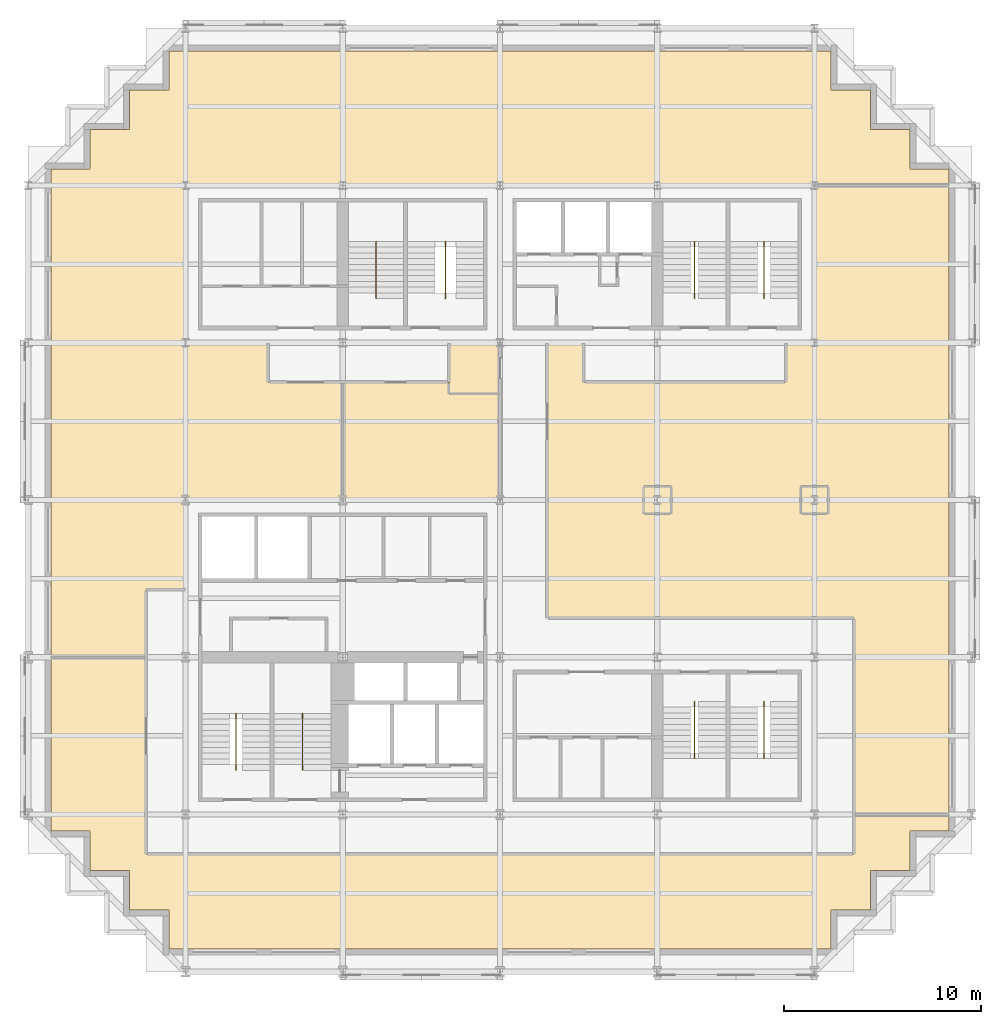
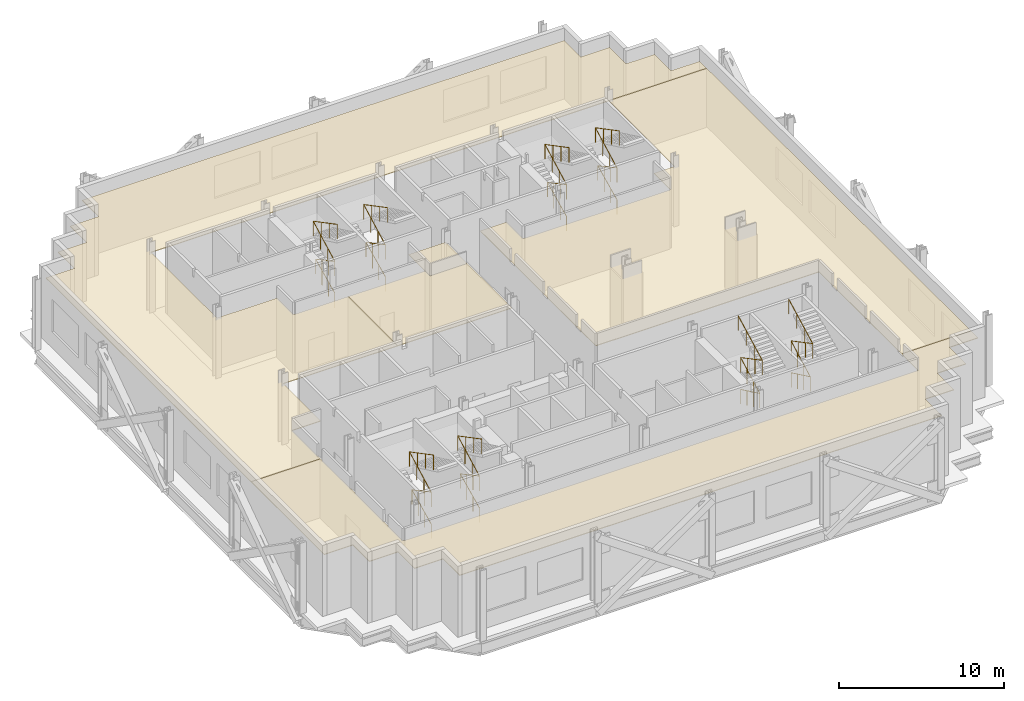
# One storey, part 10 of 10: 8 railings, 5 coverings.
"""IFC4 building model written with IfcOpenShell, lengths in metres."""

from ifc_helpers import new_model, si_unit, direction, frame, origin, origin_2d, place, context, subcontext, project, spatial, polyline, circle, outline, extrude, material, layer, layer_set, type_object, element, save


model = new_model("IFC4")

# Units and contexts
model_context = context("Model", 3, precision=1e-05, world=origin(), true_north=direction((0.0, 1.0)))
body_context = subcontext(model_context, "Body", "Model", "MODEL_VIEW")
ifc_project = project(units=[si_unit("LENGTHUNIT", "METRE"), si_unit("AREAUNIT", "SQUARE_METRE"), si_unit("VOLUMEUNIT", "CUBIC_METRE"), si_unit("PLANEANGLEUNIT", "RADIAN"), si_unit("MASSUNIT", "GRAM", prefix="KILO")], contexts=[model_context])

# Site, building, storey
site_placement = place(None, origin())
site = spatial("IfcSite", under=ifc_project, at=site_placement, CompositionType="ELEMENT")
building_placement = place(site_placement, origin())
building = spatial("IfcBuilding", under=site, at=building_placement, Name="Immortelle Media Tower", CompositionType="ELEMENT")
storey_placement = place(building_placement, frame((0.0, 0.0, 29.39990234375)))
storey = spatial("IfcBuildingStorey", under=building, at=storey_placement, Name="L03", CompositionType="ELEMENT", Elevation=29.39990234375)

# Railings
ifc_material_1 = material(Name="Stainless steel AISI 316", Category="steel")
railing_type = type_object("IfcRailingType", Name="Stair guard 1100", PredefinedType="GUARDRAIL", material=ifc_material_1)
railing_1_placement = place(storey_placement, frame((10.574951171875, 10.5400390625, 0.138671875)))
element("IfcRailing", 1, at=railing_1_placement, inside=storey, type_object=railing_type, Name="Stair guard SW1", PredefinedType="GUARDRAIL", context=body_context, shape_type="SweptSolid", body=[
    extrude(circle(Radius=0.02392578125, at=origin_2d()), frame((0.0, 0.0, 1.076171875), z_axis=(0.0, 0.902426498155, 0.430843841116), x_axis=(-1.0, 0.0, 0.0)), (0.0, 0.0, 1.0), 2.57080078125),
    extrude(circle(Radius=0.02392578125, at=origin_2d()), frame((0.0, 2.320068359375, 2.18359375), z_axis=(0.0, -0.880973676593, 0.473165278894), x_axis=(1.0, 0.0, 0.0)), (0.0, 0.0, 1.0), 2.633544921875),
    extrude(circle(Radius=0.02392578125, at=origin_2d()), frame((0.0, 0.0, 3.4296875), z_axis=(0.0, 0.883391611325, 0.468635531134), x_axis=(-1.0, 0.0, 0.0)), (0.0, 0.0, 1.0), 2.954345703125),
    extrude(circle(Radius=0.02392578125, at=origin_2d()), frame((0.0, 2.60986328125, 4.814453125), z_axis=(0.0, -0.885304325944, 0.465012097118), x_axis=(1.0, 0.0, 0.0)), (0.0, 0.0, 1.0), 3.275634765625),
    extrude(circle(Radius=0.02099609375, at=origin_2d()), origin(), (0.0, 0.0, 1.0), 1.052001953125),
    extrude(circle(Radius=0.02099609375, at=origin_2d()), frame((0.0, 0.7734375, 0.369140625)), (0.0, 0.0, 1.0), 1.052001953125),
    extrude(circle(Radius=0.02099609375, at=origin_2d()), frame((0.0, 1.546630859375, 0.738525390625)), (0.0, 0.0, 1.0), 1.052001953125),
    extrude(circle(Radius=0.02099609375, at=origin_2d()), frame((0.0, 2.320068359375, 1.107666015625)), (0.0, 0.0, 1.0), 1.052001953125),
    extrude(circle(Radius=0.02099609375, at=origin_2d()), frame((0.0, 1.546630859375, 1.52294921875)), (0.0, 0.0, 1.0), 1.052001953125),
    extrude(circle(Radius=0.02099609375, at=origin_2d()), frame((0.0, 0.7734375, 1.9384765625)), (0.0, 0.0, 1.0), 1.052001953125),
    extrude(circle(Radius=0.02099609375, at=origin_2d()), frame((0.0, 0.0, 2.353759765625)), (0.0, 0.0, 1.0), 1.052001953125),
    extrude(circle(Radius=0.02099609375, at=origin_2d()), frame((0.0, 0.869873046875, 2.815185546875)), (0.0, 0.0, 1.0), 1.052001953125),
    extrude(circle(Radius=0.02099609375, at=origin_2d()), frame((0.0, 1.739990234375, 3.27685546875)), (0.0, 0.0, 1.0), 1.052001953125),
    extrude(circle(Radius=0.02099609375, at=origin_2d()), frame((0.0, 2.60986328125, 3.73828125)), (0.0, 0.0, 1.0), 1.052001953125),
    extrude(circle(Radius=0.02099609375, at=origin_2d()), frame((0.0, 1.643310546875, 4.24609375)), (0.0, 0.0, 1.0), 1.052001953125),
    extrude(circle(Radius=0.02099609375, at=origin_2d()), frame((0.0, 0.676513671875, 4.753662109375)), (0.0, 0.0, 1.0), 1.052001953125),
    extrude(circle(Radius=0.02099609375, at=origin_2d()), frame((0.0, -0.2900390625, 5.261474609375)), (0.0, 0.0, 1.0), 1.052001953125),
])
railing_2_placement = place(storey_placement, frame((13.949951171875, 10.5400390625, 0.138671875)))
element("IfcRailing", 2, at=railing_2_placement, inside=storey, type_object=railing_type, Name="Stair guard SW2", PredefinedType="GUARDRAIL", context=body_context, shape_type="SweptSolid", body=[
    extrude(circle(Radius=0.02392578125, at=origin_2d()), frame((0.0, 0.0, 1.076171875), z_axis=(0.0, 0.902426498155, 0.430843841116), x_axis=(-1.0, 0.0, 0.0)), (0.0, 0.0, 1.0), 2.57080078125),
    extrude(circle(Radius=0.02392578125, at=origin_2d()), frame((0.0, 2.320068359375, 2.18359375), z_axis=(0.0, -0.880973676593, 0.473165278894), x_axis=(1.0, 0.0, 0.0)), (0.0, 0.0, 1.0), 2.633544921875),
    extrude(circle(Radius=0.02392578125, at=origin_2d()), frame((0.0, 0.0, 3.4296875), z_axis=(0.0, 0.883391611325, 0.468635531134), x_axis=(-1.0, 0.0, 0.0)), (0.0, 0.0, 1.0), 2.954345703125),
    extrude(circle(Radius=0.02392578125, at=origin_2d()), frame((0.0, 2.60986328125, 4.814453125), z_axis=(0.0, -0.885304325944, 0.465012097118), x_axis=(1.0, 0.0, 0.0)), (0.0, 0.0, 1.0), 3.275634765625),
    extrude(circle(Radius=0.02099609375, at=origin_2d()), origin(), (0.0, 0.0, 1.0), 1.052001953125),
    extrude(circle(Radius=0.02099609375, at=origin_2d()), frame((0.0, 0.7734375, 0.369140625)), (0.0, 0.0, 1.0), 1.052001953125),
    extrude(circle(Radius=0.02099609375, at=origin_2d()), frame((0.0, 1.546630859375, 0.738525390625)), (0.0, 0.0, 1.0), 1.052001953125),
    extrude(circle(Radius=0.02099609375, at=origin_2d()), frame((0.0, 2.320068359375, 1.107666015625)), (0.0, 0.0, 1.0), 1.052001953125),
    extrude(circle(Radius=0.02099609375, at=origin_2d()), frame((0.0, 1.546630859375, 1.52294921875)), (0.0, 0.0, 1.0), 1.052001953125),
    extrude(circle(Radius=0.02099609375, at=origin_2d()), frame((0.0, 0.7734375, 1.9384765625)), (0.0, 0.0, 1.0), 1.052001953125),
    extrude(circle(Radius=0.02099609375, at=origin_2d()), frame((0.0, 0.0, 2.353759765625)), (0.0, 0.0, 1.0), 1.052001953125),
    extrude(circle(Radius=0.02099609375, at=origin_2d()), frame((0.0, 0.869873046875, 2.815185546875)), (0.0, 0.0, 1.0), 1.052001953125),
    extrude(circle(Radius=0.02099609375, at=origin_2d()), frame((0.0, 1.739990234375, 3.27685546875)), (0.0, 0.0, 1.0), 1.052001953125),
    extrude(circle(Radius=0.02099609375, at=origin_2d()), frame((0.0, 2.60986328125, 3.73828125)), (0.0, 0.0, 1.0), 1.052001953125),
    extrude(circle(Radius=0.02099609375, at=origin_2d()), frame((0.0, 1.643310546875, 4.24609375)), (0.0, 0.0, 1.0), 1.052001953125),
    extrude(circle(Radius=0.02099609375, at=origin_2d()), frame((0.0, 0.676513671875, 4.753662109375)), (0.0, 0.0, 1.0), 1.052001953125),
    extrude(circle(Radius=0.02099609375, at=origin_2d()), frame((0.0, -0.2900390625, 5.261474609375)), (0.0, 0.0, 1.0), 1.052001953125),
])
railing_3_placement = place(storey_placement, frame((33.89990234375, 13.4599609375, 0.138671875)))
element("IfcRailing", 3, at=railing_3_placement, inside=storey, type_object=railing_type, Name="Stair guard SE1", PredefinedType="GUARDRAIL", context=body_context, shape_type="SweptSolid", body=[
    extrude(circle(Radius=0.02392578125, at=origin_2d()), frame((0.0, 0.0, 1.076171875), z_axis=(0.0, -0.902426498155, 0.430843841116), x_axis=(1.0, 0.0, 0.0)), (0.0, 0.0, 1.0), 2.57080078125),
    extrude(circle(Radius=0.02392578125, at=origin_2d()), frame((0.0, -2.320068359375, 2.18359375), z_axis=(0.0, 0.880973676593, 0.473165278894), x_axis=(-1.0, 0.0, 0.0)), (0.0, 0.0, 1.0), 2.633544921875),
    extrude(circle(Radius=0.02392578125, at=origin_2d()), frame((0.0, 0.0, 3.4296875), z_axis=(0.0, -0.883391611325, 0.468635531134), x_axis=(1.0, 0.0, 0.0)), (0.0, 0.0, 1.0), 2.954345703125),
    extrude(circle(Radius=0.02392578125, at=origin_2d()), frame((0.0, -2.60986328125, 4.814453125), z_axis=(0.0, 0.885304325944, 0.465012097118), x_axis=(-1.0, 0.0, 0.0)), (0.0, 0.0, 1.0), 3.275634765625),
    extrude(circle(Radius=0.02099609375, at=origin_2d()), origin(), (0.0, 0.0, 1.0), 1.052001953125),
    extrude(circle(Radius=0.02099609375, at=origin_2d()), frame((0.0, -0.7734375, 0.369140625)), (0.0, 0.0, 1.0), 1.052001953125),
    extrude(circle(Radius=0.02099609375, at=origin_2d()), frame((0.0, -1.546630859375, 0.738525390625)), (0.0, 0.0, 1.0), 1.052001953125),
    extrude(circle(Radius=0.02099609375, at=origin_2d()), frame((0.0, -2.320068359375, 1.107666015625)), (0.0, 0.0, 1.0), 1.052001953125),
    extrude(circle(Radius=0.02099609375, at=origin_2d()), frame((0.0, -1.546630859375, 1.52294921875)), (0.0, 0.0, 1.0), 1.052001953125),
    extrude(circle(Radius=0.02099609375, at=origin_2d()), frame((0.0, -0.7734375, 1.9384765625)), (0.0, 0.0, 1.0), 1.052001953125),
    extrude(circle(Radius=0.02099609375, at=origin_2d()), frame((0.0, 0.0, 2.353759765625)), (0.0, 0.0, 1.0), 1.052001953125),
    extrude(circle(Radius=0.02099609375, at=origin_2d()), frame((0.0, -0.869873046875, 2.815185546875)), (0.0, 0.0, 1.0), 1.052001953125),
    extrude(circle(Radius=0.02099609375, at=origin_2d()), frame((0.0, -1.739990234375, 3.27685546875)), (0.0, 0.0, 1.0), 1.052001953125),
    extrude(circle(Radius=0.02099609375, at=origin_2d()), frame((0.0, -2.60986328125, 3.73828125)), (0.0, 0.0, 1.0), 1.052001953125),
    extrude(circle(Radius=0.02099609375, at=origin_2d()), frame((0.0, -1.643310546875, 4.24609375)), (0.0, 0.0, 1.0), 1.052001953125),
    extrude(circle(Radius=0.02099609375, at=origin_2d()), frame((0.0, -0.676513671875, 4.753662109375)), (0.0, 0.0, 1.0), 1.052001953125),
    extrude(circle(Radius=0.02099609375, at=origin_2d()), frame((0.0, 0.2900390625, 5.261474609375)), (0.0, 0.0, 1.0), 1.052001953125),
])
railing_4_placement = place(storey_placement, frame((37.425048828125, 13.4599609375, 0.138671875)))
element("IfcRailing", 4, at=railing_4_placement, inside=storey, type_object=railing_type, Name="Stair guard SE2", PredefinedType="GUARDRAIL", context=body_context, shape_type="SweptSolid", body=[
    extrude(circle(Radius=0.02392578125, at=origin_2d()), frame((0.0, 0.0, 1.076171875), z_axis=(0.0, -0.902426498155, 0.430843841116), x_axis=(1.0, 0.0, 0.0)), (0.0, 0.0, 1.0), 2.57080078125),
    extrude(circle(Radius=0.02392578125, at=origin_2d()), frame((0.0, -2.320068359375, 2.18359375), z_axis=(0.0, 0.880973676593, 0.473165278894), x_axis=(-1.0, 0.0, 0.0)), (0.0, 0.0, 1.0), 2.633544921875),
    extrude(circle(Radius=0.02392578125, at=origin_2d()), frame((0.0, 0.0, 3.4296875), z_axis=(0.0, -0.883391611325, 0.468635531134), x_axis=(1.0, 0.0, 0.0)), (0.0, 0.0, 1.0), 2.954345703125),
    extrude(circle(Radius=0.02392578125, at=origin_2d()), frame((0.0, -2.60986328125, 4.814453125), z_axis=(0.0, 0.885304325944, 0.465012097118), x_axis=(-1.0, 0.0, 0.0)), (0.0, 0.0, 1.0), 3.275634765625),
    extrude(circle(Radius=0.02099609375, at=origin_2d()), origin(), (0.0, 0.0, 1.0), 1.052001953125),
    extrude(circle(Radius=0.02099609375, at=origin_2d()), frame((0.0, -0.7734375, 0.369140625)), (0.0, 0.0, 1.0), 1.052001953125),
    extrude(circle(Radius=0.02099609375, at=origin_2d()), frame((0.0, -1.546630859375, 0.738525390625)), (0.0, 0.0, 1.0), 1.052001953125),
    extrude(circle(Radius=0.02099609375, at=origin_2d()), frame((0.0, -2.320068359375, 1.107666015625)), (0.0, 0.0, 1.0), 1.052001953125),
    extrude(circle(Radius=0.02099609375, at=origin_2d()), frame((0.0, -1.546630859375, 1.52294921875)), (0.0, 0.0, 1.0), 1.052001953125),
    extrude(circle(Radius=0.02099609375, at=origin_2d()), frame((0.0, -0.7734375, 1.9384765625)), (0.0, 0.0, 1.0), 1.052001953125),
    extrude(circle(Radius=0.02099609375, at=origin_2d()), frame((0.0, 0.0, 2.353759765625)), (0.0, 0.0, 1.0), 1.052001953125),
    extrude(circle(Radius=0.02099609375, at=origin_2d()), frame((0.0, -0.869873046875, 2.815185546875)), (0.0, 0.0, 1.0), 1.052001953125),
    extrude(circle(Radius=0.02099609375, at=origin_2d()), frame((0.0, -1.739990234375, 3.27685546875)), (0.0, 0.0, 1.0), 1.052001953125),
    extrude(circle(Radius=0.02099609375, at=origin_2d()), frame((0.0, -2.60986328125, 3.73828125)), (0.0, 0.0, 1.0), 1.052001953125),
    extrude(circle(Radius=0.02099609375, at=origin_2d()), frame((0.0, -1.643310546875, 4.24609375)), (0.0, 0.0, 1.0), 1.052001953125),
    extrude(circle(Radius=0.02099609375, at=origin_2d()), frame((0.0, -0.676513671875, 4.753662109375)), (0.0, 0.0, 1.0), 1.052001953125),
    extrude(circle(Radius=0.02099609375, at=origin_2d()), frame((0.0, 0.2900390625, 5.261474609375)), (0.0, 0.0, 1.0), 1.052001953125),
])
railing_5_placement = place(storey_placement, frame((17.699951171875, 34.5400390625, 0.138671875)))
element("IfcRailing", 5, at=railing_5_placement, inside=storey, type_object=railing_type, Name="Stair guard NW1", PredefinedType="GUARDRAIL", context=body_context, shape_type="SweptSolid", body=[
    extrude(circle(Radius=0.02392578125, at=origin_2d()), frame((0.0, 0.0, 1.076171875), z_axis=(0.0, 0.902426498155, 0.430843841116), x_axis=(-1.0, 0.0, 0.0)), (0.0, 0.0, 1.0), 2.57080078125),
    extrude(circle(Radius=0.02392578125, at=origin_2d()), frame((0.0, 2.320068359375, 2.18359375), z_axis=(0.0, -0.880973676593, 0.473165278894), x_axis=(1.0, 0.0, 0.0)), (0.0, 0.0, 1.0), 2.633544921875),
    extrude(circle(Radius=0.02392578125, at=origin_2d()), frame((0.0, 0.0, 3.4296875), z_axis=(0.0, 0.883391611325, 0.468635531134), x_axis=(-1.0, 0.0, 0.0)), (0.0, 0.0, 1.0), 2.954345703125),
    extrude(circle(Radius=0.02392578125, at=origin_2d()), frame((0.0, 2.60986328125, 4.814453125), z_axis=(0.0, -0.885304325944, 0.465012097118), x_axis=(1.0, 0.0, 0.0)), (0.0, 0.0, 1.0), 3.275634765625),
    extrude(circle(Radius=0.02099609375, at=origin_2d()), origin(), (0.0, 0.0, 1.0), 1.052001953125),
    extrude(circle(Radius=0.02099609375, at=origin_2d()), frame((0.0, 0.7734375, 0.369140625)), (0.0, 0.0, 1.0), 1.052001953125),
    extrude(circle(Radius=0.02099609375, at=origin_2d()), frame((0.0, 1.546630859375, 0.738525390625)), (0.0, 0.0, 1.0), 1.052001953125),
    extrude(circle(Radius=0.02099609375, at=origin_2d()), frame((0.0, 2.320068359375, 1.107666015625)), (0.0, 0.0, 1.0), 1.052001953125),
    extrude(circle(Radius=0.02099609375, at=origin_2d()), frame((0.0, 1.546630859375, 1.52294921875)), (0.0, 0.0, 1.0), 1.052001953125),
    extrude(circle(Radius=0.02099609375, at=origin_2d()), frame((0.0, 0.7734375, 1.9384765625)), (0.0, 0.0, 1.0), 1.052001953125),
    extrude(circle(Radius=0.02099609375, at=origin_2d()), frame((0.0, 0.0, 2.353759765625)), (0.0, 0.0, 1.0), 1.052001953125),
    extrude(circle(Radius=0.02099609375, at=origin_2d()), frame((0.0, 0.869873046875, 2.815185546875)), (0.0, 0.0, 1.0), 1.052001953125),
    extrude(circle(Radius=0.02099609375, at=origin_2d()), frame((0.0, 1.739990234375, 3.27685546875)), (0.0, 0.0, 1.0), 1.052001953125),
    extrude(circle(Radius=0.02099609375, at=origin_2d()), frame((0.0, 2.60986328125, 3.73828125)), (0.0, 0.0, 1.0), 1.052001953125),
    extrude(circle(Radius=0.02099609375, at=origin_2d()), frame((0.0, 1.643310546875, 4.24609375)), (0.0, 0.0, 1.0), 1.052001953125),
    extrude(circle(Radius=0.02099609375, at=origin_2d()), frame((0.0, 0.676513671875, 4.753662109375)), (0.0, 0.0, 1.0), 1.052001953125),
    extrude(circle(Radius=0.02099609375, at=origin_2d()), frame((0.0, -0.2900390625, 5.261474609375)), (0.0, 0.0, 1.0), 1.052001953125),
])
railing_6_placement = place(storey_placement, frame((21.22509765625, 34.5400390625, 0.138671875)))
element("IfcRailing", 6, at=railing_6_placement, inside=storey, type_object=railing_type, Name="Stair guard NW2", PredefinedType="GUARDRAIL", context=body_context, shape_type="SweptSolid", body=[
    extrude(circle(Radius=0.02392578125, at=origin_2d()), frame((0.0, 0.0, 1.076171875), z_axis=(0.0, 0.902426498155, 0.430843841116), x_axis=(-1.0, 0.0, 0.0)), (0.0, 0.0, 1.0), 2.57080078125),
    extrude(circle(Radius=0.02392578125, at=origin_2d()), frame((0.0, 2.320068359375, 2.18359375), z_axis=(0.0, -0.880973676593, 0.473165278894), x_axis=(1.0, 0.0, 0.0)), (0.0, 0.0, 1.0), 2.633544921875),
    extrude(circle(Radius=0.02392578125, at=origin_2d()), frame((0.0, 0.0, 3.4296875), z_axis=(0.0, 0.883391611325, 0.468635531134), x_axis=(-1.0, 0.0, 0.0)), (0.0, 0.0, 1.0), 2.954345703125),
    extrude(circle(Radius=0.02392578125, at=origin_2d()), frame((0.0, 2.60986328125, 4.814453125), z_axis=(0.0, -0.885304325944, 0.465012097118), x_axis=(1.0, 0.0, 0.0)), (0.0, 0.0, 1.0), 3.275634765625),
    extrude(circle(Radius=0.02099609375, at=origin_2d()), origin(), (0.0, 0.0, 1.0), 1.052001953125),
    extrude(circle(Radius=0.02099609375, at=origin_2d()), frame((0.0, 0.7734375, 0.369140625)), (0.0, 0.0, 1.0), 1.052001953125),
    extrude(circle(Radius=0.02099609375, at=origin_2d()), frame((0.0, 1.546630859375, 0.738525390625)), (0.0, 0.0, 1.0), 1.052001953125),
    extrude(circle(Radius=0.02099609375, at=origin_2d()), frame((0.0, 2.320068359375, 1.107666015625)), (0.0, 0.0, 1.0), 1.052001953125),
    extrude(circle(Radius=0.02099609375, at=origin_2d()), frame((0.0, 1.546630859375, 1.52294921875)), (0.0, 0.0, 1.0), 1.052001953125),
    extrude(circle(Radius=0.02099609375, at=origin_2d()), frame((0.0, 0.7734375, 1.9384765625)), (0.0, 0.0, 1.0), 1.052001953125),
    extrude(circle(Radius=0.02099609375, at=origin_2d()), frame((0.0, 0.0, 2.353759765625)), (0.0, 0.0, 1.0), 1.052001953125),
    extrude(circle(Radius=0.02099609375, at=origin_2d()), frame((0.0, 0.869873046875, 2.815185546875)), (0.0, 0.0, 1.0), 1.052001953125),
    extrude(circle(Radius=0.02099609375, at=origin_2d()), frame((0.0, 1.739990234375, 3.27685546875)), (0.0, 0.0, 1.0), 1.052001953125),
    extrude(circle(Radius=0.02099609375, at=origin_2d()), frame((0.0, 2.60986328125, 3.73828125)), (0.0, 0.0, 1.0), 1.052001953125),
    extrude(circle(Radius=0.02099609375, at=origin_2d()), frame((0.0, 1.643310546875, 4.24609375)), (0.0, 0.0, 1.0), 1.052001953125),
    extrude(circle(Radius=0.02099609375, at=origin_2d()), frame((0.0, 0.676513671875, 4.753662109375)), (0.0, 0.0, 1.0), 1.052001953125),
    extrude(circle(Radius=0.02099609375, at=origin_2d()), frame((0.0, -0.2900390625, 5.261474609375)), (0.0, 0.0, 1.0), 1.052001953125),
])
railing_7_placement = place(storey_placement, frame((33.89990234375, 34.5400390625, 0.138671875)))
element("IfcRailing", 7, at=railing_7_placement, inside=storey, type_object=railing_type, Name="Stair guard NE1", PredefinedType="GUARDRAIL", context=body_context, shape_type="SweptSolid", body=[
    extrude(circle(Radius=0.02392578125, at=origin_2d()), frame((0.0, 0.0, 1.076171875), z_axis=(0.0, 0.902426498155, 0.430843841116), x_axis=(-1.0, 0.0, 0.0)), (0.0, 0.0, 1.0), 2.57080078125),
    extrude(circle(Radius=0.02392578125, at=origin_2d()), frame((0.0, 2.320068359375, 2.18359375), z_axis=(0.0, -0.880973676593, 0.473165278894), x_axis=(1.0, 0.0, 0.0)), (0.0, 0.0, 1.0), 2.633544921875),
    extrude(circle(Radius=0.02392578125, at=origin_2d()), frame((0.0, 0.0, 3.4296875), z_axis=(0.0, 0.883391611325, 0.468635531134), x_axis=(-1.0, 0.0, 0.0)), (0.0, 0.0, 1.0), 2.954345703125),
    extrude(circle(Radius=0.02392578125, at=origin_2d()), frame((0.0, 2.60986328125, 4.814453125), z_axis=(0.0, -0.885304325944, 0.465012097118), x_axis=(1.0, 0.0, 0.0)), (0.0, 0.0, 1.0), 3.275634765625),
    extrude(circle(Radius=0.02099609375, at=origin_2d()), origin(), (0.0, 0.0, 1.0), 1.052001953125),
    extrude(circle(Radius=0.02099609375, at=origin_2d()), frame((0.0, 0.7734375, 0.369140625)), (0.0, 0.0, 1.0), 1.052001953125),
    extrude(circle(Radius=0.02099609375, at=origin_2d()), frame((0.0, 1.546630859375, 0.738525390625)), (0.0, 0.0, 1.0), 1.052001953125),
    extrude(circle(Radius=0.02099609375, at=origin_2d()), frame((0.0, 2.320068359375, 1.107666015625)), (0.0, 0.0, 1.0), 1.052001953125),
    extrude(circle(Radius=0.02099609375, at=origin_2d()), frame((0.0, 1.546630859375, 1.52294921875)), (0.0, 0.0, 1.0), 1.052001953125),
    extrude(circle(Radius=0.02099609375, at=origin_2d()), frame((0.0, 0.7734375, 1.9384765625)), (0.0, 0.0, 1.0), 1.052001953125),
    extrude(circle(Radius=0.02099609375, at=origin_2d()), frame((0.0, 0.0, 2.353759765625)), (0.0, 0.0, 1.0), 1.052001953125),
    extrude(circle(Radius=0.02099609375, at=origin_2d()), frame((0.0, 0.869873046875, 2.815185546875)), (0.0, 0.0, 1.0), 1.052001953125),
    extrude(circle(Radius=0.02099609375, at=origin_2d()), frame((0.0, 1.739990234375, 3.27685546875)), (0.0, 0.0, 1.0), 1.052001953125),
    extrude(circle(Radius=0.02099609375, at=origin_2d()), frame((0.0, 2.60986328125, 3.73828125)), (0.0, 0.0, 1.0), 1.052001953125),
    extrude(circle(Radius=0.02099609375, at=origin_2d()), frame((0.0, 1.643310546875, 4.24609375)), (0.0, 0.0, 1.0), 1.052001953125),
    extrude(circle(Radius=0.02099609375, at=origin_2d()), frame((0.0, 0.676513671875, 4.753662109375)), (0.0, 0.0, 1.0), 1.052001953125),
    extrude(circle(Radius=0.02099609375, at=origin_2d()), frame((0.0, -0.2900390625, 5.261474609375)), (0.0, 0.0, 1.0), 1.052001953125),
])
railing_8_placement = place(storey_placement, frame((37.425048828125, 34.5400390625, 0.138671875)))
element("IfcRailing", 8, at=railing_8_placement, inside=storey, type_object=railing_type, Name="Stair guard NE2", PredefinedType="GUARDRAIL", context=body_context, shape_type="SweptSolid", body=[
    extrude(circle(Radius=0.02392578125, at=origin_2d()), frame((0.0, 0.0, 1.076171875), z_axis=(0.0, 0.902426498155, 0.430843841116), x_axis=(-1.0, 0.0, 0.0)), (0.0, 0.0, 1.0), 2.57080078125),
    extrude(circle(Radius=0.02392578125, at=origin_2d()), frame((0.0, 2.320068359375, 2.18359375), z_axis=(0.0, -0.880973676593, 0.473165278894), x_axis=(1.0, 0.0, 0.0)), (0.0, 0.0, 1.0), 2.633544921875),
    extrude(circle(Radius=0.02392578125, at=origin_2d()), frame((0.0, 0.0, 3.4296875), z_axis=(0.0, 0.883391611325, 0.468635531134), x_axis=(-1.0, 0.0, 0.0)), (0.0, 0.0, 1.0), 2.954345703125),
    extrude(circle(Radius=0.02392578125, at=origin_2d()), frame((0.0, 2.60986328125, 4.814453125), z_axis=(0.0, -0.885304325944, 0.465012097118), x_axis=(1.0, 0.0, 0.0)), (0.0, 0.0, 1.0), 3.275634765625),
    extrude(circle(Radius=0.02099609375, at=origin_2d()), origin(), (0.0, 0.0, 1.0), 1.052001953125),
    extrude(circle(Radius=0.02099609375, at=origin_2d()), frame((0.0, 0.7734375, 0.369140625)), (0.0, 0.0, 1.0), 1.052001953125),
    extrude(circle(Radius=0.02099609375, at=origin_2d()), frame((0.0, 1.546630859375, 0.738525390625)), (0.0, 0.0, 1.0), 1.052001953125),
    extrude(circle(Radius=0.02099609375, at=origin_2d()), frame((0.0, 2.320068359375, 1.107666015625)), (0.0, 0.0, 1.0), 1.052001953125),
    extrude(circle(Radius=0.02099609375, at=origin_2d()), frame((0.0, 1.546630859375, 1.52294921875)), (0.0, 0.0, 1.0), 1.052001953125),
    extrude(circle(Radius=0.02099609375, at=origin_2d()), frame((0.0, 0.7734375, 1.9384765625)), (0.0, 0.0, 1.0), 1.052001953125),
    extrude(circle(Radius=0.02099609375, at=origin_2d()), frame((0.0, 0.0, 2.353759765625)), (0.0, 0.0, 1.0), 1.052001953125),
    extrude(circle(Radius=0.02099609375, at=origin_2d()), frame((0.0, 0.869873046875, 2.815185546875)), (0.0, 0.0, 1.0), 1.052001953125),
    extrude(circle(Radius=0.02099609375, at=origin_2d()), frame((0.0, 1.739990234375, 3.27685546875)), (0.0, 0.0, 1.0), 1.052001953125),
    extrude(circle(Radius=0.02099609375, at=origin_2d()), frame((0.0, 2.60986328125, 3.73828125)), (0.0, 0.0, 1.0), 1.052001953125),
    extrude(circle(Radius=0.02099609375, at=origin_2d()), frame((0.0, 1.643310546875, 4.24609375)), (0.0, 0.0, 1.0), 1.052001953125),
    extrude(circle(Radius=0.02099609375, at=origin_2d()), frame((0.0, 0.676513671875, 4.753662109375)), (0.0, 0.0, 1.0), 1.052001953125),
    extrude(circle(Radius=0.02099609375, at=origin_2d()), frame((0.0, -0.2900390625, 5.261474609375)), (0.0, 0.0, 1.0), 1.052001953125),
])

# Coverings
ifc_material_2 = material(Name="Mineral fibre tile ceiling")
ifc_layer = layer(ifc_material_2, 0.050048828125)
ifc_layer_set = layer_set([ifc_layer], Name="Mineral fibre tile ceiling")
covering_type = type_object("IfcCoveringType", Name="Suspended ceiling 50", PredefinedType="CEILING", material=ifc_layer_set)
covering_1_placement = place(storey_placement, frame((0.0, 0.0, 4.273193359375)))
element("IfcCovering", 9, at=covering_1_placement, inside=storey, type_object=covering_type, Name="Ceiling L03-001", PredefinedType="CEILING", context=body_context, shape_type="SweptSolid", body=[
    extrude(outline(polyline([(40.0, 6.0), (42.0, 6.0), (42.0, 8.0), (46.85009765625, 8.0), (46.85009765625, 7.14990234375), (44.85009765625, 7.14990234375), (44.85009765625, 5.14990234375), (42.85009765625, 5.14990234375), (42.85009765625, 3.14990234375), (40.85009765625, 3.14990234375), (40.85009765625, 1.14990234375), (40.0, 1.14990234375), (32.0, 1.14990234375), (24.0, 1.14990234375), (16.0, 1.14990234375), (8.0, 1.14990234375), (7.14990234375, 1.14990234375), (7.14990234375, 3.14990234375), (5.14990234375, 3.14990234375), (5.14990234375, 5.14990234375), (3.14990234375, 5.14990234375), (3.14990234375, 7.14990234375), (1.14990234375, 7.14990234375), (1.14990234375, 8.0), (1.14990234375, 16.0), (6.0, 16.0), (6.0, 8.0), (6.0, 6.0), (8.0, 6.0), (16.0, 6.0), (24.0, 6.0), (26.0, 6.0), (32.0, 6.0), (40.0, 6.0)])), origin(), (0.0, 0.0, 1.0), 0.0498046875),
])
covering_2_placement = place(storey_placement, frame((0.0, 0.0, 4.273193359375)))
element("IfcCovering", 10, at=covering_2_placement, inside=storey, type_object=covering_type, Name="Ceiling L03-002", PredefinedType="CEILING", context=body_context, shape_type="SweptSolid", body=[
    extrude(outline(polyline([(27.0, 18.0), (26.39990234375, 18.0), (26.39990234375, 24.0), (26.39990234375, 32.0), (28.25, 32.0), (28.25, 30.0), (32.0, 30.0), (38.550048828125, 30.0), (38.550048828125, 32.0), (40.0, 32.0), (40.0, 40.0), (46.85009765625, 40.0), (46.85009765625, 32.0), (46.85009765625, 24.0), (46.85009765625, 16.0), (46.85009765625, 8.0), (42.0, 8.0), (42.0, 16.0), (42.0, 18.0), (40.0, 18.0), (38.550048828125, 18.0), (36.0, 18.0), (32.0, 18.0), (27.0, 18.0)])), origin(), (0.0, 0.0, 1.0), 0.0498046875),
])
covering_3_placement = place(storey_placement, frame((0.0, 0.0, 4.273193359375)))
element("IfcCovering", 11, at=covering_3_placement, inside=storey, type_object=covering_type, Name="Ceiling L03-003", PredefinedType="CEILING", context=body_context, shape_type="SweptSolid", body=[
    extrude(outline(polyline([(16.0, 30.0), (21.39990234375, 30.0), (21.39990234375, 29.39990234375), (24.0, 29.39990234375), (24.0, 24.0), (16.0, 24.0), (16.0, 30.0)])), origin(), (0.0, 0.0, 1.0), 0.0498046875),
])
covering_4_placement = place(storey_placement, frame((0.0, 0.0, 4.273193359375)))
element("IfcCovering", 12, at=covering_4_placement, inside=storey, type_object=covering_type, Name="Ceiling L03-004", PredefinedType="CEILING", context=body_context, shape_type="SweptSolid", body=[
    extrude(outline(polyline([(6.0, 16.0), (1.14990234375, 16.0), (1.14990234375, 24.0), (1.14990234375, 32.0), (1.14990234375, 40.0), (1.14990234375, 40.85009765625), (3.14990234375, 40.85009765625), (3.14990234375, 42.85009765625), (5.14990234375, 42.85009765625), (5.14990234375, 44.85009765625), (7.14990234375, 44.85009765625), (7.14990234375, 46.85009765625), (8.0, 46.85009765625), (16.0, 46.85009765625), (24.0, 46.85009765625), (32.0, 46.85009765625), (40.0, 46.85009765625), (40.85009765625, 46.85009765625), (40.85009765625, 44.85009765625), (42.85009765625, 44.85009765625), (42.85009765625, 42.85009765625), (44.85009765625, 42.85009765625), (44.85009765625, 40.85009765625), (46.85009765625, 40.85009765625), (46.85009765625, 40.0), (40.0, 40.0), (32.0, 40.0), (24.0, 40.0), (16.0, 40.0), (8.0, 40.0), (8.0, 32.0), (12.199951171875, 32.0), (12.199951171875, 30.0), (16.0, 30.0), (16.0, 24.0), (8.0, 24.0), (8.0, 19.449951171875), (6.0, 19.449951171875), (6.0, 16.0)])), origin(), (0.0, 0.0, 1.0), 0.0498046875),
])
covering_5_placement = place(storey_placement, frame((0.0, 0.0, 4.273193359375)))
element("IfcCovering", 13, at=covering_5_placement, inside=storey, type_object=covering_type, Name="Ceiling L03-005", PredefinedType="CEILING", context=body_context, shape_type="SweptSolid", body=[
    extrude(outline(polyline([(24.0, 29.39990234375), (21.39990234375, 29.39990234375), (21.39990234375, 32.0), (24.0, 32.0), (24.0, 29.39990234375)])), origin(), (0.0, 0.0, 1.0), 0.0498046875),
])

save(model, "model.ifc")
